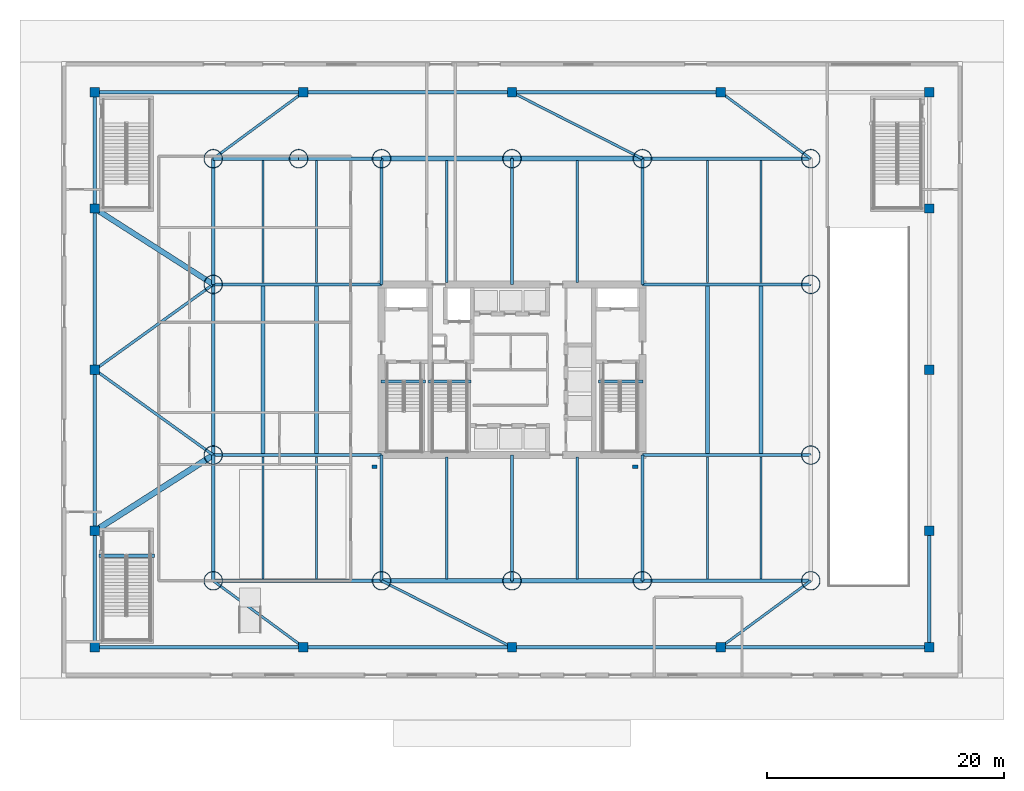
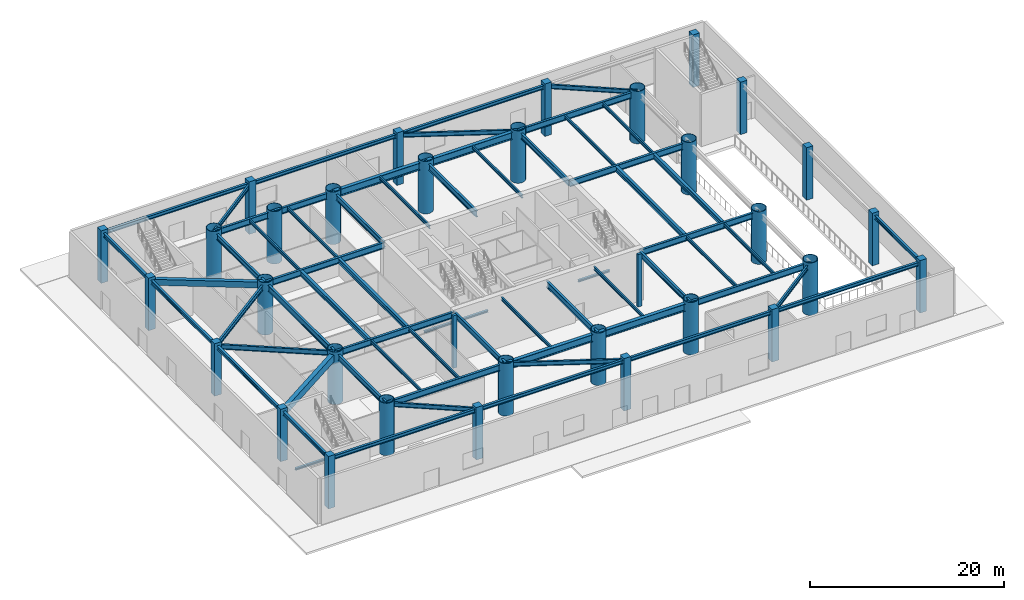
# One storey, part 1 of 15: 64 beams, 33 columns.
"""IFC4 building model written with IfcOpenShell, lengths in metres."""

from ifc_helpers import new_model, si_unit, direction, frame, origin, origin_2d, place, context, subcontext, project, spatial, rectangle, hollow_circle, i_section, extrude, material, material_profile, profile_set, type_object, element, save


model = new_model("IFC4")

# Units and contexts
model_context = context("Model", 3, precision=1e-05, world=origin(), true_north=direction((0.0, 1.0)))
body_context = subcontext(model_context, "Body", "Model", "MODEL_VIEW")
ifc_project = project(units=[si_unit("LENGTHUNIT", "METRE"), si_unit("AREAUNIT", "SQUARE_METRE"), si_unit("VOLUMEUNIT", "CUBIC_METRE"), si_unit("PLANEANGLEUNIT", "RADIAN"), si_unit("MASSUNIT", "GRAM", prefix="KILO")], contexts=[model_context])

# Site, building, storey
site_placement = place(None, origin())
site = spatial("IfcSite", under=ifc_project, at=site_placement, CompositionType="ELEMENT")
building_placement = place(site_placement, origin())
building = spatial("IfcBuilding", under=site, at=building_placement, Name="Bramvorn Convention Spire", CompositionType="ELEMENT")
storey_placement = place(building_placement, origin())
storey = spatial("IfcBuildingStorey", under=building, at=storey_placement, Name="L00", CompositionType="ELEMENT", Elevation=0.0)

# Columns
ifc_material_1 = material(Name="Steel CSA G40.21 Grade 350 (350W)", Category="steel")
ifc_material_profile_1 = material_profile(ifc_material_1, hollow_circle(Radius=0.800048828125, WallThickness=0.06005859375, at=origin_2d()))
ifc_profile_set_1 = profile_set([ifc_material_profile_1], Name="Steel CSA G40.21 Grade 350 (350W) - CFT1600X60")
column_type_1 = type_object("IfcColumnType", Name="COL-CFT1600X60", PredefinedType="COLUMN", material=ifc_profile_set_1)
for number, where, z_axis, x_axis, name in (
    (1, (12.800048828125, 8.199951171875, 0.0), (0.0, 0.0, 1.0), (1.0, 0.0, 0.0), "L00 podium transfer mega-column PR01"),
    (2, (27.0, 8.199951171875, 0.0), (0.0, 0.0, 1.0), (1.0, 0.0, 0.0), "L00 podium transfer mega-column PR02"),
    (3, (38.0, 8.199951171875, 0.0), (0.0, 0.0, 1.0), (1.0, 0.0, 0.0), "L00 podium transfer mega-column PR13"),
    (4, (49.0, 8.199951171875, 0.0), (0.0, 0.0, 1.0), (1.0, 0.0, 0.0), "L00 podium transfer mega-column PR03"),
    (5, (63.199951171875, 8.199951171875, 0.0), (0.0, 0.0, 1.0), (1.0, 0.0, 0.0), "L00 podium transfer mega-column PR04"),
    (6, (12.800048828125, 18.800048828125, 0.0), (0.0, 0.0, 1.0), (1.0, 0.0, 0.0), "L00 podium transfer mega-column PR05"),
    (7, (63.199951171875, 18.800048828125, 0.0), (0.0, 0.0, 1.0), (1.0, 0.0, 0.0), "L00 podium transfer mega-column PR06"),
    (8, (12.800048828125, 33.199951171875, 0.0), (0.0, 0.0, 1.0), (1.0, 0.0, 0.0), "L00 podium transfer mega-column PR07"),
    (9, (63.199951171875, 33.199951171875, 0.0), (0.0, 0.0, 1.0), (1.0, 0.0, 0.0), "L00 podium transfer mega-column PR08"),
    (10, (12.800048828125, 43.800048828125, 0.0), (0.0, 0.0, 1.0), (1.0, 0.0, 0.0), "L00 podium transfer mega-column PR09"),
    (11, (20.0, 43.800048828125, 0.0), (0.0, 0.0, 1.0), (1.0, 0.0, 0.0), "L00 podium transfer mega-column PR15"),
    (12, (27.0, 43.800048828125, 0.0), (0.0, 0.0, 1.0), (1.0, 0.0, 0.0), "L00 podium transfer mega-column PR10"),
    (13, (38.0, 43.800048828125, 0.0), (0.0, 0.0, 1.0), (1.0, 0.0, 0.0), "L00 podium transfer mega-column PR14"),
    (14, (49.0, 43.800048828125, 0.0), (0.0, 0.0, 1.0), (1.0, 0.0, 0.0), "L00 podium transfer mega-column PR11"),
    (15, (63.199951171875, 43.800048828125, 0.0), (0.0, 0.0, 1.0), (1.0, 0.0, 0.0), "L00 podium transfer mega-column PR12"),
):
    element("IfcColumn", number, at=place(storey_placement, frame(where, z_axis=z_axis, x_axis=x_axis)), inside=storey, type_object=column_type_1, Name=name, PredefinedType="COLUMN", context=body_context, shape_type="SweptSolid", body=[
        extrude(hollow_circle(Radius=0.800048828125, WallThickness=0.06005859375, at=origin_2d()), origin(), (0.0, 0.0, 1.0), 6.60009765625),
    ])
ifc_material_2 = material(Name="Concrete C40/50 Precast Limestone Pilaster", Category="masonry")
ifc_material_profile_2 = material_profile(ifc_material_2, rectangle(XDim=0.449951171875, YDim=0.300048828125, at=origin_2d()))
ifc_profile_set_2 = profile_set([ifc_material_profile_2], Name="Concrete C40/50 Precast Limestone Pilaster - PILASTER450X300")
column_type_2 = type_object("IfcColumnType", Name="COL-PILASTER-450", PredefinedType="PILASTER", material=ifc_profile_set_2)
for number, where, z_axis, x_axis, name in (
    (16, (26.39990234375, 17.800048828125, 0.0), (0.0, 0.0, 1.0), (1.0, 0.0, 0.0), "L00 Grand Concourse pilaster 1"),
    (17, (48.39990234375, 17.800048828125, 0.0), (0.0, 0.0, 1.0), (1.0, 0.0, 0.0), "L00 Grand Concourse pilaster 2"),
):
    element("IfcColumn", number, at=place(storey_placement, frame(where, z_axis=z_axis, x_axis=x_axis)), inside=storey, type_object=column_type_2, Name=name, PredefinedType="PILASTER", context=body_context, shape_type="SweptSolid", body=[
        extrude(rectangle(XDim=0.449951171875, YDim=0.300048828125, at=origin_2d()), origin(), (0.0, 0.0, 1.0), 6.60009765625),
    ])
ifc_material_3 = material(Name="Concrete C60/70", Category="concrete")
ifc_material_profile_3 = material_profile(ifc_material_3, rectangle(XDim=0.800048828125, YDim=0.800048828125, at=origin_2d()))
ifc_profile_set_3 = profile_set([ifc_material_profile_3], Name="Concrete C60/70 - RC800X800")
column_type_3 = type_object("IfcColumnType", Name="COL-RC800X800", PredefinedType="COLUMN", material=ifc_profile_set_3)
for number, where, z_axis, x_axis, name in (
    (18, (2.800048828125, 2.60009765625, 0.0), (0.0, 0.0, 1.0), (1.0, 0.0, 0.0), "L00 podium perimeter column PC01"),
    (19, (2.800048828125, 12.39990234375, 0.0), (0.0, 0.0, 1.0), (1.0, 0.0, 0.0), "L00 podium perimeter column PC02"),
    (20, (2.800048828125, 26.0, 0.0), (0.0, 0.0, 1.0), (1.0, 0.0, 0.0), "L00 podium perimeter column PC03"),
    (21, (2.800048828125, 39.60009765625, 0.0), (0.0, 0.0, 1.0), (1.0, 0.0, 0.0), "L00 podium perimeter column PC04"),
    (22, (2.800048828125, 49.39990234375, 0.0), (0.0, 0.0, 1.0), (1.0, 0.0, 0.0), "L00 podium perimeter column PC05"),
    (23, (73.199951171875, 2.60009765625, 0.0), (0.0, 0.0, 1.0), (1.0, 0.0, 0.0), "L00 podium perimeter column PC06"),
    (24, (73.199951171875, 12.39990234375, 0.0), (0.0, 0.0, 1.0), (1.0, 0.0, 0.0), "L00 podium perimeter column PC07"),
    (25, (73.199951171875, 26.0, 0.0), (0.0, 0.0, 1.0), (1.0, 0.0, 0.0), "L00 podium perimeter column PC08"),
    (26, (73.199951171875, 39.60009765625, 0.0), (0.0, 0.0, 1.0), (1.0, 0.0, 0.0), "L00 podium perimeter column PC09"),
    (27, (73.199951171875, 49.39990234375, 0.0), (0.0, 0.0, 1.0), (1.0, 0.0, 0.0), "L00 podium perimeter column PC10"),
    (28, (20.39990234375, 2.60009765625, 0.0), (0.0, 0.0, 1.0), (1.0, 0.0, 0.0), "L00 podium perimeter column PC11"),
    (29, (38.0, 2.60009765625, 0.0), (0.0, 0.0, 1.0), (1.0, 0.0, 0.0), "L00 podium perimeter column PC12"),
    (30, (55.60009765625, 2.60009765625, 0.0), (0.0, 0.0, 1.0), (1.0, 0.0, 0.0), "L00 podium perimeter column PC13"),
    (31, (20.39990234375, 49.39990234375, 0.0), (0.0, 0.0, 1.0), (1.0, 0.0, 0.0), "L00 podium perimeter column PC14"),
    (32, (38.0, 49.39990234375, 0.0), (0.0, 0.0, 1.0), (1.0, 0.0, 0.0), "L00 podium perimeter column PC15"),
    (33, (55.60009765625, 49.39990234375, 0.0), (0.0, 0.0, 1.0), (1.0, 0.0, 0.0), "L00 podium perimeter column PC16"),
):
    element("IfcColumn", number, at=place(storey_placement, frame(where, z_axis=z_axis, x_axis=x_axis)), inside=storey, type_object=column_type_3, Name=name, PredefinedType="COLUMN", context=body_context, shape_type="SweptSolid", body=[
        extrude(rectangle(XDim=0.800048828125, YDim=0.800048828125, at=origin_2d()), origin(), (0.0, 0.0, 1.0), 6.60009765625),
    ])

# Beams
ifc_material_4 = material(Name="Concrete C50/60", Category="concrete")
ifc_material_profile_4 = material_profile(ifc_material_4, rectangle(XDim=0.449951171875, YDim=0.75, at=origin_2d()))
ifc_profile_set_4 = profile_set([ifc_material_profile_4], Name="Concrete C50/60 - RC450X750")
beam_type_1 = type_object("IfcBeamType", Name="BM-RC450X750", PredefinedType="BEAM", material=ifc_profile_set_4)
beam_1_placement = place(storey_placement, frame((2.800048828125, 39.60009765625, 5.875), z_axis=(0.842265798855, -0.539062449145, 0.0), x_axis=(0.539062449145, 0.842265798855, 0.0)))
element("IfcBeam", 34, at=beam_1_placement, inside=storey, type_object=beam_type_1, Name="L00 reinforced concrete marshalling tie beam 2", PredefinedType="BEAM", context=body_context, shape_type="SweptSolid", body=[
    extrude(rectangle(XDim=0.449951171875, YDim=0.75, at=origin_2d()), origin(), (0.0, 0.0, 1.0), 11.872802734375),
])
ifc_material_profile_5 = material_profile(ifc_material_4, rectangle(XDim=0.5, YDim=0.89990234375, at=origin_2d()))
ifc_profile_set_5 = profile_set([ifc_material_profile_5], Name="Concrete C50/60 - RC500X900")
beam_type_2 = type_object("IfcBeamType", Name="BM-RC500X900", PredefinedType="BEAM", material=ifc_profile_set_5)
beam_2_placement = place(storey_placement, frame((2.800048828125, 12.39990234375, 5.800048828125), z_axis=(0.842265798855, 0.539062449145, 0.0), x_axis=(-0.539062449145, 0.842265798855, 0.0)))
element("IfcBeam", 35, at=beam_2_placement, inside=storey, type_object=beam_type_2, Name="L00 reinforced concrete marshalling tie beam 1", PredefinedType="BEAM", context=body_context, shape_type="SweptSolid", body=[
    extrude(rectangle(XDim=0.5, YDim=0.89990234375, at=origin_2d()), origin(), (0.0, 0.0, 1.0), 11.872802734375),
])
ifc_material_profile_6 = material_profile(ifc_material_1, i_section(OverallWidth=0.25390625, OverallDepth=0.2529296875, WebThickness=0.008544921875, FlangeThickness=0.01416015625, FilletRadius=0.011962890625, at=origin_2d()))
ifc_profile_set_6 = profile_set([ifc_material_profile_6], Name="Steel CSA G40.21 Grade 350 (350W) - W250X73")
beam_type_3 = type_object("IfcBeamType", Name="BM-W250X73", PredefinedType="BEAM", material=ifc_profile_set_6)
for number, where, z_axis, x_axis, name in (
    (36, (26.949951171875, 25.010009765625, -0.12646484375), (1.0, 0.0, 0.0), (0.0, 1.0, 0.0), "L00 ST1 stair arrival header beam"),
    (37, (45.31005859375, 25.010009765625, -0.12646484375), (1.0, 0.0, 0.0), (0.0, 1.0, 0.0), "L00 ST2 stair arrival header beam"),
):
    element("IfcBeam", number, at=place(storey_placement, frame(where, z_axis=z_axis, x_axis=x_axis)), inside=storey, type_object=beam_type_3, Name=name, PredefinedType="BEAM", context=body_context, shape_type="SweptSolid", body=[
        extrude(i_section(OverallWidth=0.25390625, OverallDepth=0.2529296875, WebThickness=0.008544921875, FlangeThickness=0.01416015625, FilletRadius=0.011962890625, at=origin_2d()), origin(), (0.0, 0.0, 1.0), 3.739990234375),
    ])
beam_3_placement = place(storey_placement, frame((30.949951171875, 25.010009765625, -0.12646484375), z_axis=(1.0, 0.0, 0.0), x_axis=(0.0, 1.0, 0.0)))
element("IfcBeam", 38, at=beam_3_placement, inside=storey, type_object=beam_type_3, Name="L00 ST3 stair arrival header beam", PredefinedType="BEAM", context=body_context, shape_type="SweptSolid", body=[
    extrude(i_section(OverallWidth=0.25390625, OverallDepth=0.2529296875, WebThickness=0.008544921875, FlangeThickness=0.01416015625, FilletRadius=0.011962890625, at=origin_2d()), origin(), (0.0, 0.0, 1.0), 3.610107421875),
])
beam_4_placement = place(storey_placement, frame((3.14990234375, 10.31005859375, -0.12646484375), z_axis=(1.0, 0.0, 0.0), x_axis=(0.0, 1.0, 0.0)))
element("IfcBeam", 39, at=beam_4_placement, inside=storey, type_object=beam_type_3, Name="L00 ST4 stair arrival header beam", PredefinedType="BEAM", context=body_context, shape_type="SweptSolid", body=[
    extrude(i_section(OverallWidth=0.25390625, OverallDepth=0.2529296875, WebThickness=0.008544921875, FlangeThickness=0.01416015625, FilletRadius=0.011962890625, at=origin_2d()), origin(), (0.0, 0.0, 1.0), 4.68017578125),
])
ifc_material_profile_7 = material_profile(ifc_material_1, i_section(OverallWidth=0.180908203125, OverallDepth=0.4169921875, WebThickness=0.010986328125, FlangeThickness=0.018310546875, FilletRadius=0.01611328125, at=origin_2d()))
ifc_profile_set_7 = profile_set([ifc_material_profile_7], Name="Steel CSA G40.21 Grade 350 (350W) - W410X85")
beam_type_4 = type_object("IfcBeamType", Name="BM-W410X85", PredefinedType="JOIST", material=ifc_profile_set_7)
for number, where, z_axis, x_axis, name in (
    (40, (17.0, 8.340087890625, 6.04150390625), (0.0, 1.0, 0.0), (-1.0, 0.0, 0.0), "L00 side hall joist S-1"),
    (41, (17.0, 33.340087890625, 6.04150390625), (0.0, 1.0, 0.0), (-1.0, 0.0, 0.0), "L00 side hall joist N-1"),
    (42, (21.5, 8.340087890625, 6.04150390625), (0.0, 1.0, 0.0), (-1.0, 0.0, 0.0), "L00 side hall joist S-2"),
    (43, (21.5, 33.340087890625, 6.04150390625), (0.0, 1.0, 0.0), (-1.0, 0.0, 0.0), "L00 side hall joist N-2"),
    (44, (32.5, 8.340087890625, 6.04150390625), (0.0, 1.0, 0.0), (-1.0, 0.0, 0.0), "L00 south hall composite joist 3"),
    (45, (32.5, 33.340087890625, 6.04150390625), (0.0, 1.0, 0.0), (-1.0, 0.0, 0.0), "L00 north hall composite joist 3"),
    (46, (43.5, 8.340087890625, 6.04150390625), (0.0, 1.0, 0.0), (-1.0, 0.0, 0.0), "L00 south hall composite joist 4"),
    (47, (43.5, 33.340087890625, 6.04150390625), (0.0, 1.0, 0.0), (-1.0, 0.0, 0.0), "L00 north hall composite joist 4"),
    (48, (54.5, 8.340087890625, 6.04150390625), (0.0, 1.0, 0.0), (-1.0, 0.0, 0.0), "L00 side hall joist S-5"),
    (49, (54.5, 33.340087890625, 6.04150390625), (0.0, 1.0, 0.0), (-1.0, 0.0, 0.0), "L00 side hall joist N-5"),
    (50, (59.0, 8.340087890625, 6.04150390625), (0.0, 1.0, 0.0), (-1.0, 0.0, 0.0), "L00 side hall joist S-6"),
    (51, (59.0, 33.340087890625, 6.04150390625), (0.0, 1.0, 0.0), (-1.0, 0.0, 0.0), "L00 side hall joist N-6"),
):
    element("IfcBeam", number, at=place(storey_placement, frame(where, z_axis=z_axis, x_axis=x_axis)), inside=storey, type_object=beam_type_4, Name=name, PredefinedType="JOIST", context=body_context, shape_type="SweptSolid", body=[
        extrude(i_section(OverallWidth=0.180908203125, OverallDepth=0.4169921875, WebThickness=0.010986328125, FlangeThickness=0.018310546875, FilletRadius=0.01611328125, at=origin_2d()), origin(), (0.0, 0.0, 1.0), 10.31982421875),
    ])
ifc_material_profile_8 = material_profile(ifc_material_1, i_section(OverallWidth=0.283935546875, OverallDepth=0.47607421875, WebThickness=0.014892578125, FlangeThickness=0.02392578125, FilletRadius=0.01806640625, at=origin_2d()))
ifc_profile_set_8 = profile_set([ifc_material_profile_8], Name="Steel CSA G40.21 Grade 350 (350W) - W460X158")
beam_type_5 = type_object("IfcBeamType", Name="BM-W460X158", PredefinedType="SPANDREL", material=ifc_profile_set_8)
beam_5_placement = place(storey_placement, frame((2.800048828125, 2.60009765625, 6.011962890625), z_axis=(1.0, 0.0, 0.0), x_axis=(0.0, 1.0, 0.0)))
element("IfcBeam", 52, at=beam_5_placement, inside=storey, type_object=beam_type_5, Name="L00 podium spandrel beam 01", PredefinedType="SPANDREL", context=body_context, shape_type="SweptSolid", body=[
    extrude(i_section(OverallWidth=0.283935546875, OverallDepth=0.47607421875, WebThickness=0.014892578125, FlangeThickness=0.02392578125, FilletRadius=0.01806640625, at=origin_2d()), origin(), (0.0, 0.0, 1.0), 17.599853515625),
])
for number, where, z_axis, x_axis, name in (
    (53, (20.39990234375, 2.60009765625, 6.011962890625), (1.0, 0.0, 0.0), (0.0, 1.0, 0.0), "L00 podium spandrel beam 02"),
    (54, (38.0, 2.60009765625, 6.011962890625), (1.0, 0.0, 0.0), (0.0, 1.0, 0.0), "L00 podium spandrel beam 03"),
):
    element("IfcBeam", number, at=place(storey_placement, frame(where, z_axis=z_axis, x_axis=x_axis)), inside=storey, type_object=beam_type_5, Name=name, PredefinedType="SPANDREL", context=body_context, shape_type="SweptSolid", body=[
        extrude(i_section(OverallWidth=0.283935546875, OverallDepth=0.47607421875, WebThickness=0.014892578125, FlangeThickness=0.02392578125, FilletRadius=0.01806640625, at=origin_2d()), origin(), (0.0, 0.0, 1.0), 17.60009765625),
    ])
beam_6_placement = place(storey_placement, frame((55.60009765625, 2.60009765625, 6.011962890625), z_axis=(1.0, 0.0, 0.0), x_axis=(0.0, 1.0, 0.0)))
element("IfcBeam", 55, at=beam_6_placement, inside=storey, type_object=beam_type_5, Name="L00 podium spandrel beam 04", PredefinedType="SPANDREL", context=body_context, shape_type="SweptSolid", body=[
    extrude(i_section(OverallWidth=0.283935546875, OverallDepth=0.47607421875, WebThickness=0.014892578125, FlangeThickness=0.02392578125, FilletRadius=0.01806640625, at=origin_2d()), origin(), (0.0, 0.0, 1.0), 17.599853515625),
])
beam_7_placement = place(storey_placement, frame((73.199951171875, 2.60009765625, 6.011962890625), z_axis=(0.0, 1.0, 0.0), x_axis=(-1.0, 0.0, 0.0)))
element("IfcBeam", 56, at=beam_7_placement, inside=storey, type_object=beam_type_5, Name="L00 podium spandrel beam 05", PredefinedType="SPANDREL", context=body_context, shape_type="SweptSolid", body=[
    extrude(i_section(OverallWidth=0.283935546875, OverallDepth=0.47607421875, WebThickness=0.014892578125, FlangeThickness=0.02392578125, FilletRadius=0.01806640625, at=origin_2d()), origin(), (0.0, 0.0, 1.0), 9.7998046875),
])
for number, where, z_axis, x_axis, name in (
    (57, (55.60009765625, 49.39990234375, 6.011962890625), (-1.0, 0.0, 0.0), (0.0, -1.0, 0.0), "L00 podium spandrel beam 10"),
    (58, (38.0, 49.39990234375, 6.011962890625), (-1.0, 0.0, 0.0), (0.0, -1.0, 0.0), "L00 podium spandrel beam 11"),
):
    element("IfcBeam", number, at=place(storey_placement, frame(where, z_axis=z_axis, x_axis=x_axis)), inside=storey, type_object=beam_type_5, Name=name, PredefinedType="SPANDREL", context=body_context, shape_type="SweptSolid", body=[
        extrude(i_section(OverallWidth=0.283935546875, OverallDepth=0.47607421875, WebThickness=0.014892578125, FlangeThickness=0.02392578125, FilletRadius=0.01806640625, at=origin_2d()), origin(), (0.0, 0.0, 1.0), 17.60009765625),
    ])
beam_8_placement = place(storey_placement, frame((20.39990234375, 49.39990234375, 6.011962890625), z_axis=(-1.0, 0.0, 0.0), x_axis=(0.0, -1.0, 0.0)))
element("IfcBeam", 59, at=beam_8_placement, inside=storey, type_object=beam_type_5, Name="L00 podium spandrel beam 12", PredefinedType="SPANDREL", context=body_context, shape_type="SweptSolid", body=[
    extrude(i_section(OverallWidth=0.283935546875, OverallDepth=0.47607421875, WebThickness=0.014892578125, FlangeThickness=0.02392578125, FilletRadius=0.01806640625, at=origin_2d()), origin(), (0.0, 0.0, 1.0), 17.599853515625),
])
beam_9_placement = place(storey_placement, frame((2.800048828125, 49.39990234375, 6.011962890625), z_axis=(0.0, -1.0, 0.0), x_axis=(1.0, 0.0, 0.0)))
element("IfcBeam", 60, at=beam_9_placement, inside=storey, type_object=beam_type_5, Name="L00 podium spandrel beam 13", PredefinedType="SPANDREL", context=body_context, shape_type="SweptSolid", body=[
    extrude(i_section(OverallWidth=0.283935546875, OverallDepth=0.47607421875, WebThickness=0.014892578125, FlangeThickness=0.02392578125, FilletRadius=0.01806640625, at=origin_2d()), origin(), (0.0, 0.0, 1.0), 9.7998046875),
])
for number, where, z_axis, x_axis, name in (
    (61, (2.800048828125, 39.60009765625, 6.011962890625), (0.0, -1.0, 0.0), (1.0, 0.0, 0.0), "L00 podium spandrel beam 14"),
    (62, (2.800048828125, 26.0, 6.011962890625), (0.0, -1.0, 0.0), (1.0, 0.0, 0.0), "L00 podium spandrel beam 15"),
):
    element("IfcBeam", number, at=place(storey_placement, frame(where, z_axis=z_axis, x_axis=x_axis)), inside=storey, type_object=beam_type_5, Name=name, PredefinedType="SPANDREL", context=body_context, shape_type="SweptSolid", body=[
        extrude(i_section(OverallWidth=0.283935546875, OverallDepth=0.47607421875, WebThickness=0.014892578125, FlangeThickness=0.02392578125, FilletRadius=0.01806640625, at=origin_2d()), origin(), (0.0, 0.0, 1.0), 13.60009765625),
    ])
beam_10_placement = place(storey_placement, frame((2.800048828125, 12.39990234375, 6.011962890625), z_axis=(0.0, -1.0, 0.0), x_axis=(1.0, 0.0, 0.0)))
element("IfcBeam", 63, at=beam_10_placement, inside=storey, type_object=beam_type_5, Name="L00 podium spandrel beam 16", PredefinedType="SPANDREL", context=body_context, shape_type="SweptSolid", body=[
    extrude(i_section(OverallWidth=0.283935546875, OverallDepth=0.47607421875, WebThickness=0.014892578125, FlangeThickness=0.02392578125, FilletRadius=0.01806640625, at=origin_2d()), origin(), (0.0, 0.0, 1.0), 9.7998046875),
])
ifc_material_profile_9 = material_profile(ifc_material_1, i_section(OverallWidth=0.2119140625, OverallDepth=0.5439453125, WebThickness=0.01318359375, FlangeThickness=0.021240234375, FilletRadius=0.01904296875, at=origin_2d()))
ifc_profile_set_9 = profile_set([ifc_material_profile_9], Name="Steel CSA G40.21 Grade 350 (350W) - W530X123")
beam_type_6 = type_object("IfcBeamType", Name="BM-W530X123", PredefinedType="BEAM", material=ifc_profile_set_9)
beam_11_placement = place(storey_placement, frame((20.39990234375, 2.60009765625, 5.97802734375), z_axis=(-0.805057787445, 0.593196391488, 0.0), x_axis=(-0.593196391488, -0.805057787445, 0.0)))
element("IfcBeam", 64, at=beam_11_placement, inside=storey, type_object=beam_type_6, Name="L00 podium primary girder 28", PredefinedType="BEAM", context=body_context, shape_type="SweptSolid", body=[
    extrude(i_section(OverallWidth=0.2119140625, OverallDepth=0.5439453125, WebThickness=0.01318359375, FlangeThickness=0.021240234375, FilletRadius=0.01904296875, at=origin_2d()), origin(), (0.0, 0.0, 1.0), 9.440185546875),
])
beam_12_placement = place(storey_placement, frame((38.0, 2.60009765625, 5.97802734375), z_axis=(-0.891167913636, 0.453673615835, 0.0), x_axis=(-0.453673615835, -0.891167913636, 0.0)))
element("IfcBeam", 65, at=beam_12_placement, inside=storey, type_object=beam_type_6, Name="L00 podium primary girder 29", PredefinedType="BEAM", context=body_context, shape_type="SweptSolid", body=[
    extrude(i_section(OverallWidth=0.2119140625, OverallDepth=0.5439453125, WebThickness=0.01318359375, FlangeThickness=0.021240234375, FilletRadius=0.01904296875, at=origin_2d()), origin(), (0.0, 0.0, 1.0), 12.34326171875),
])
for number, where, z_axis, x_axis, name in (
    (66, (55.60009765625, 2.60009765625, 5.97802734375), (0.805057787445, 0.593196391488, 0.0), (-0.593196391488, 0.805057787445, 0.0), "L00 podium primary girder 30"),
    (67, (20.39990234375, 49.39990234375, 5.97802734375), (-0.805057787445, -0.593196391488, 0.0), (0.593196391488, -0.805057787445, 0.0), "L00 podium primary girder 31"),
):
    element("IfcBeam", number, at=place(storey_placement, frame(where, z_axis=z_axis, x_axis=x_axis)), inside=storey, type_object=beam_type_6, Name=name, PredefinedType="BEAM", context=body_context, shape_type="SweptSolid", body=[
        extrude(i_section(OverallWidth=0.2119140625, OverallDepth=0.5439453125, WebThickness=0.01318359375, FlangeThickness=0.021240234375, FilletRadius=0.01904296875, at=origin_2d()), origin(), (0.0, 0.0, 1.0), 9.440185546875),
    ])
beam_13_placement = place(storey_placement, frame((38.0, 49.39990234375, 5.97802734375), z_axis=(0.891167913636, -0.453673615835, 0.0), x_axis=(0.453673615835, 0.891167913636, 0.0)))
element("IfcBeam", 68, at=beam_13_placement, inside=storey, type_object=beam_type_6, Name="L00 podium primary girder 32", PredefinedType="BEAM", context=body_context, shape_type="SweptSolid", body=[
    extrude(i_section(OverallWidth=0.2119140625, OverallDepth=0.5439453125, WebThickness=0.01318359375, FlangeThickness=0.021240234375, FilletRadius=0.01904296875, at=origin_2d()), origin(), (0.0, 0.0, 1.0), 12.34326171875),
])
beam_14_placement = place(storey_placement, frame((55.60009765625, 49.39990234375, 5.97802734375), z_axis=(0.805057787445, -0.593196391488, 0.0), x_axis=(0.593196391488, 0.805057787445, 0.0)))
element("IfcBeam", 69, at=beam_14_placement, inside=storey, type_object=beam_type_6, Name="L00 podium primary girder 33", PredefinedType="BEAM", context=body_context, shape_type="SweptSolid", body=[
    extrude(i_section(OverallWidth=0.2119140625, OverallDepth=0.5439453125, WebThickness=0.01318359375, FlangeThickness=0.021240234375, FilletRadius=0.01904296875, at=origin_2d()), origin(), (0.0, 0.0, 1.0), 9.440185546875),
])
ifc_material_profile_10 = material_profile(ifc_material_1, i_section(OverallWidth=0.22998046875, OverallDepth=0.616943359375, WebThickness=0.01318359375, FlangeThickness=0.022216796875, FilletRadius=0.02001953125, at=origin_2d()))
ifc_profile_set_10 = profile_set([ifc_material_profile_10], Name="Steel CSA G40.21 Grade 350 (350W) - W610X140")
beam_type_7 = type_object("IfcBeamType", Name="BM-W610X140", PredefinedType="BEAM", material=ifc_profile_set_10)
for number, where, z_axis, x_axis, name in (
    (70, (2.800048828125, 26.0, 5.94140625), (0.811536220436, -0.584302116135, 0.0), (0.584302116135, 0.811536220436, 0.0), "L00 podium primary girder 26"),
    (71, (2.800048828125, 26.0, 5.94140625), (0.811536220436, 0.584302116135, 0.0), (-0.584302116135, 0.811536220436, 0.0), "L00 podium primary girder 27"),
):
    element("IfcBeam", number, at=place(storey_placement, frame(where, z_axis=z_axis, x_axis=x_axis)), inside=storey, type_object=beam_type_7, Name=name, PredefinedType="BEAM", context=body_context, shape_type="SweptSolid", body=[
        extrude(i_section(OverallWidth=0.22998046875, OverallDepth=0.616943359375, WebThickness=0.01318359375, FlangeThickness=0.022216796875, FilletRadius=0.02001953125, at=origin_2d()), origin(), (0.0, 0.0, 1.0), 12.322265625),
    ])
ifc_material_profile_11 = material_profile(ifc_material_1, i_section(OverallWidth=0.327880859375, OverallDepth=0.6279296875, WebThickness=0.0166015625, FlangeThickness=0.027587890625, FilletRadius=0.02001953125, at=origin_2d()))
ifc_profile_set_11 = profile_set([ifc_material_profile_11], Name="Steel CSA G40.21 Grade 350 (350W) - W610X217")
beam_type_8 = type_object("IfcBeamType", Name="BM-W610X217", PredefinedType="BEAM", material=ifc_profile_set_11)
for number, where, z_axis, x_axis, name in (
    (72, (17.0, 18.93994140625, 5.93603515625), (0.0, 1.0, 0.0), (-1.0, 0.0, 0.0), "L00 main exhibition clear-span joist M-1"),
    (73, (21.5, 18.93994140625, 5.93603515625), (0.0, 1.0, 0.0), (-1.0, 0.0, 0.0), "L00 main exhibition clear-span joist M-2"),
    (74, (54.5, 18.93994140625, 5.93603515625), (0.0, 1.0, 0.0), (-1.0, 0.0, 0.0), "L00 main exhibition clear-span joist M-5"),
    (75, (59.0, 18.93994140625, 5.93603515625), (0.0, 1.0, 0.0), (-1.0, 0.0, 0.0), "L00 main exhibition clear-span joist M-6"),
):
    element("IfcBeam", number, at=place(storey_placement, frame(where, z_axis=z_axis, x_axis=x_axis)), inside=storey, type_object=beam_type_8, Name=name, PredefinedType="BEAM", context=body_context, shape_type="SweptSolid", body=[
        extrude(i_section(OverallWidth=0.327880859375, OverallDepth=0.6279296875, WebThickness=0.0166015625, FlangeThickness=0.027587890625, FilletRadius=0.02001953125, at=origin_2d()), origin(), (0.0, 0.0, 1.0), 14.1201171875),
    ])
ifc_material_profile_12 = material_profile(ifc_material_1, i_section(OverallWidth=0.256103515625, OverallDepth=0.693115234375, WebThickness=0.014404296875, FlangeThickness=0.023681640625, FilletRadius=0.02197265625, at=origin_2d()))
ifc_profile_set_12 = profile_set([ifc_material_profile_12], Name="Steel CSA G40.21 Grade 350 (350W) - W690X170")
beam_type_9 = type_object("IfcBeamType", Name="BM-W690X170", PredefinedType="BEAM", material=ifc_profile_set_12)
for number, where, z_axis, x_axis, name in (
    (76, (12.800048828125, 8.199951171875, 5.903564453125), (0.0, 1.0, 0.0), (-1.0, 0.0, 0.0), "L00 podium primary girder 12"),
    (77, (12.800048828125, 33.199951171875, 5.903564453125), (0.0, 1.0, 0.0), (-1.0, 0.0, 0.0), "L00 podium primary girder 14"),
    (78, (27.0, 8.199951171875, 5.903564453125), (0.0, 1.0, 0.0), (-1.0, 0.0, 0.0), "L00 podium primary girder 22"),
    (79, (49.0, 8.199951171875, 5.903564453125), (0.0, 1.0, 0.0), (-1.0, 0.0, 0.0), "L00 podium primary girder 23"),
    (80, (27.0, 33.199951171875, 5.903564453125), (0.0, 1.0, 0.0), (-1.0, 0.0, 0.0), "L00 podium primary girder 24"),
    (81, (49.0, 33.199951171875, 5.903564453125), (0.0, 1.0, 0.0), (-1.0, 0.0, 0.0), "L00 podium primary girder 25"),
):
    element("IfcBeam", number, at=place(storey_placement, frame(where, z_axis=z_axis, x_axis=x_axis)), inside=storey, type_object=beam_type_9, Name=name, PredefinedType="BEAM", context=body_context, shape_type="SweptSolid", body=[
        extrude(i_section(OverallWidth=0.256103515625, OverallDepth=0.693115234375, WebThickness=0.014404296875, FlangeThickness=0.023681640625, FilletRadius=0.02197265625, at=origin_2d()), origin(), (0.0, 0.0, 1.0), 10.60009765625),
    ])
ifc_material_profile_13 = material_profile(ifc_material_1, i_section(OverallWidth=0.27099609375, OverallDepth=0.76806640625, WebThickness=0.0166015625, FlangeThickness=0.02685546875, FilletRadius=0.02197265625, at=origin_2d()))
ifc_profile_set_13 = profile_set([ifc_material_profile_13], Name="Steel CSA G40.21 Grade 350 (350W) - W760X220")
beam_type_10 = type_object("IfcBeamType", Name="BM-W760X220", PredefinedType="BEAM", material=ifc_profile_set_13)
for number, where, z_axis, x_axis, name in (
    (82, (12.800048828125, 8.199951171875, 5.865966796875), (1.0, 0.0, 0.0), (0.0, 1.0, 0.0), "L00 podium primary girder 01"),
    (83, (49.0, 8.199951171875, 5.865966796875), (1.0, 0.0, 0.0), (0.0, 1.0, 0.0), "L00 podium primary girder 04"),
):
    element("IfcBeam", number, at=place(storey_placement, frame(where, z_axis=z_axis, x_axis=x_axis)), inside=storey, type_object=beam_type_10, Name=name, PredefinedType="BEAM", context=body_context, shape_type="SweptSolid", body=[
        extrude(i_section(OverallWidth=0.27099609375, OverallDepth=0.76806640625, WebThickness=0.0166015625, FlangeThickness=0.02685546875, FilletRadius=0.02197265625, at=origin_2d()), origin(), (0.0, 0.0, 1.0), 14.199951171875),
    ])
beam_15_placement = place(storey_placement, frame((12.800048828125, 43.800048828125, 5.865966796875), z_axis=(1.0, 0.0, 0.0), x_axis=(0.0, 1.0, 0.0)))
element("IfcBeam", 84, at=beam_15_placement, inside=storey, type_object=beam_type_10, Name="L00 podium primary girder 05", PredefinedType="BEAM", context=body_context, shape_type="SweptSolid", body=[
    extrude(i_section(OverallWidth=0.27099609375, OverallDepth=0.76806640625, WebThickness=0.0166015625, FlangeThickness=0.02685546875, FilletRadius=0.02197265625, at=origin_2d()), origin(), (0.0, 0.0, 1.0), 7.199951171875),
])
beam_16_placement = place(storey_placement, frame((20.0, 43.800048828125, 5.865966796875), z_axis=(1.0, 0.0, 0.0), x_axis=(0.0, 1.0, 0.0)))
element("IfcBeam", 85, at=beam_16_placement, inside=storey, type_object=beam_type_10, Name="L00 podium primary girder 06", PredefinedType="BEAM", context=body_context, shape_type="SweptSolid", body=[
    extrude(i_section(OverallWidth=0.27099609375, OverallDepth=0.76806640625, WebThickness=0.0166015625, FlangeThickness=0.02685546875, FilletRadius=0.02197265625, at=origin_2d()), origin(), (0.0, 0.0, 1.0), 7.0),
])
for number, where, z_axis, x_axis, name in (
    (86, (38.0, 8.199951171875, 5.865966796875), (0.0, 1.0, 0.0), (-1.0, 0.0, 0.0), "L00 podium primary girder 09"),
    (87, (38.0, 33.199951171875, 5.865966796875), (0.0, 1.0, 0.0), (-1.0, 0.0, 0.0), "L00 podium primary girder 10"),
):
    element("IfcBeam", number, at=place(storey_placement, frame(where, z_axis=z_axis, x_axis=x_axis)), inside=storey, type_object=beam_type_10, Name=name, PredefinedType="BEAM", context=body_context, shape_type="SweptSolid", body=[
        extrude(i_section(OverallWidth=0.27099609375, OverallDepth=0.76806640625, WebThickness=0.0166015625, FlangeThickness=0.02685546875, FilletRadius=0.02197265625, at=origin_2d()), origin(), (0.0, 0.0, 1.0), 10.60009765625),
    ])
beam_17_placement = place(storey_placement, frame((49.0, 43.800048828125, 5.865966796875), z_axis=(1.0, 0.0, 0.0), x_axis=(0.0, 1.0, 0.0)))
element("IfcBeam", 88, at=beam_17_placement, inside=storey, type_object=beam_type_10, Name="L00 podium primary girder 11", PredefinedType="BEAM", context=body_context, shape_type="SweptSolid", body=[
    extrude(i_section(OverallWidth=0.27099609375, OverallDepth=0.76806640625, WebThickness=0.0166015625, FlangeThickness=0.02685546875, FilletRadius=0.02197265625, at=origin_2d()), origin(), (0.0, 0.0, 1.0), 14.199951171875),
])
beam_18_placement = place(storey_placement, frame((12.800048828125, 18.800048828125, 5.865966796875), z_axis=(0.0, 1.0, 0.0), x_axis=(-1.0, 0.0, 0.0)))
element("IfcBeam", 89, at=beam_18_placement, inside=storey, type_object=beam_type_10, Name="L00 podium primary girder 13", PredefinedType="BEAM", context=body_context, shape_type="SweptSolid", body=[
    extrude(i_section(OverallWidth=0.27099609375, OverallDepth=0.76806640625, WebThickness=0.0166015625, FlangeThickness=0.02685546875, FilletRadius=0.02197265625, at=origin_2d()), origin(), (0.0, 0.0, 1.0), 14.39990234375),
])
for number, where, z_axis, x_axis, name in (
    (90, (12.800048828125, 18.800048828125, 5.865966796875), (1.0, 0.0, 0.0), (0.0, 1.0, 0.0), "L00 podium primary girder 18"),
    (91, (49.0, 18.800048828125, 5.865966796875), (1.0, 0.0, 0.0), (0.0, 1.0, 0.0), "L00 podium primary girder 19"),
    (92, (12.800048828125, 33.199951171875, 5.865966796875), (1.0, 0.0, 0.0), (0.0, 1.0, 0.0), "L00 podium primary girder 20"),
    (93, (49.0, 33.199951171875, 5.865966796875), (1.0, 0.0, 0.0), (0.0, 1.0, 0.0), "L00 podium primary girder 21"),
):
    element("IfcBeam", number, at=place(storey_placement, frame(where, z_axis=z_axis, x_axis=x_axis)), inside=storey, type_object=beam_type_10, Name=name, PredefinedType="BEAM", context=body_context, shape_type="SweptSolid", body=[
        extrude(i_section(OverallWidth=0.27099609375, OverallDepth=0.76806640625, WebThickness=0.0166015625, FlangeThickness=0.02685546875, FilletRadius=0.02197265625, at=origin_2d()), origin(), (0.0, 0.0, 1.0), 14.199951171875),
    ])
ifc_material_profile_14 = material_profile(ifc_material_1, i_section(OverallWidth=0.41796875, OverallDepth=0.912109375, WebThickness=0.019287109375, FlangeThickness=0.031982421875, FilletRadius=0.02392578125, at=origin_2d()))
ifc_profile_set_14 = profile_set([ifc_material_profile_14], Name="Steel CSA G40.21 Grade 350 (350W) - W920X342")
beam_type_11 = type_object("IfcBeamType", Name="BM-W920X342", PredefinedType="BEAM", material=ifc_profile_set_14)
for number, where, z_axis, x_axis, name in (
    (94, (27.0, 8.199951171875, 5.7939453125), (1.0, 0.0, 0.0), (0.0, 1.0, 0.0), "L00 podium primary girder 02"),
    (95, (38.0, 8.199951171875, 5.7939453125), (1.0, 0.0, 0.0), (0.0, 1.0, 0.0), "L00 podium primary girder 03"),
    (96, (27.0, 43.800048828125, 5.7939453125), (1.0, 0.0, 0.0), (0.0, 1.0, 0.0), "L00 podium primary girder 07"),
    (97, (38.0, 43.800048828125, 5.7939453125), (1.0, 0.0, 0.0), (0.0, 1.0, 0.0), "L00 podium primary girder 08"),
):
    element("IfcBeam", number, at=place(storey_placement, frame(where, z_axis=z_axis, x_axis=x_axis)), inside=storey, type_object=beam_type_11, Name=name, PredefinedType="BEAM", context=body_context, shape_type="SweptSolid", body=[
        extrude(i_section(OverallWidth=0.41796875, OverallDepth=0.912109375, WebThickness=0.019287109375, FlangeThickness=0.031982421875, FilletRadius=0.02392578125, at=origin_2d()), origin(), (0.0, 0.0, 1.0), 11.0),
    ])

save(model, "model.ifc")
